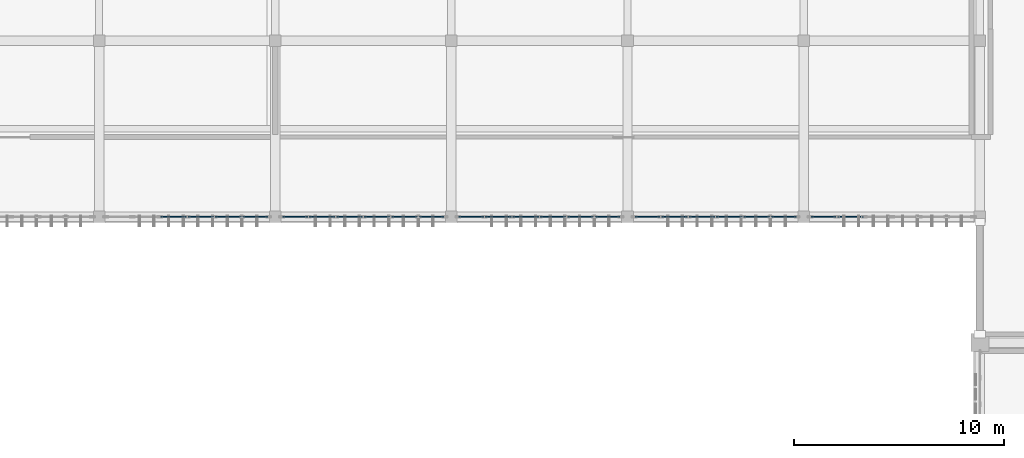
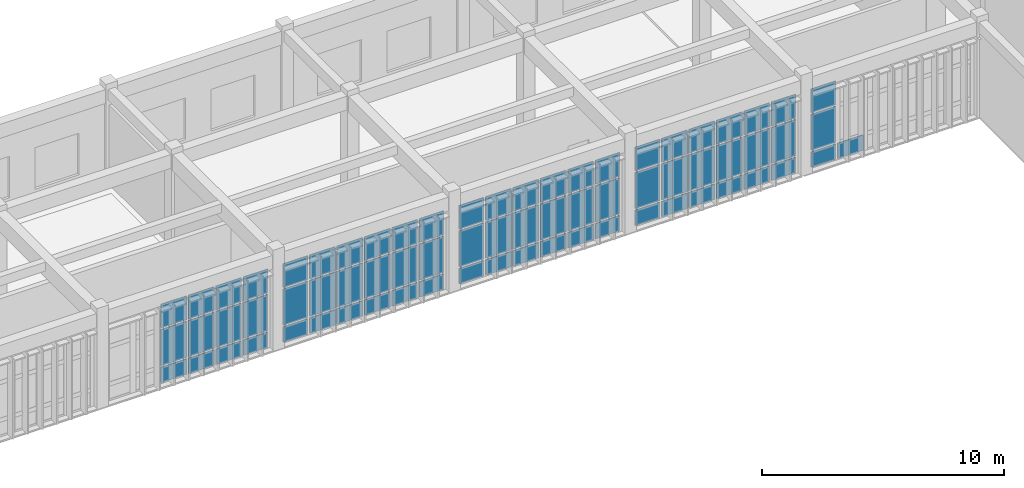
# One storey, part 75 of 106: 70 plates, 5 elements without a shape of their own.
"""IFC4 building model written with IfcOpenShell, lengths in metres."""

from ifc_helpers import new_model, si_unit, direction, frame, origin, origin_2d, place, context, subcontext, project, spatial, rectangle, extrude, material, layer, layer_set, type_object, element, aggregate, save


model = new_model("IFC4")

# Units and contexts
model_context = context("Model", 3, precision=1e-05, world=origin(), true_north=direction((0.0, 1.0)))
body_context = subcontext(model_context, "Body", "Model", "MODEL_VIEW")
ifc_project = project(units=[si_unit("LENGTHUNIT", "METRE"), si_unit("AREAUNIT", "SQUARE_METRE"), si_unit("VOLUMEUNIT", "CUBIC_METRE"), si_unit("PLANEANGLEUNIT", "RADIAN"), si_unit("MASSUNIT", "GRAM", prefix="KILO")], contexts=[model_context])

# Site, building, storey
site_placement = place(None, origin())
site = spatial("IfcSite", under=ifc_project, at=site_placement, CompositionType="ELEMENT")
building_placement = place(site_placement, origin())
building = spatial("IfcBuilding", under=site, at=building_placement, Name="Krzemoval Escarpment Law Courts", CompositionType="ELEMENT")
storey_placement = place(building_placement, frame((0.0, 0.0, 5.10009765625)))
storey = spatial("IfcBuildingStorey", under=building, at=storey_placement, Name="L01", CompositionType="ELEMENT", Elevation=5.10009765625)

# Curtain wall, plates
ifc_material_1 = material(Name="Aluminium 6063-T6", Category="aluminium")
ifc_layer_1 = layer(ifc_material_1, 0.280029296875)
ifc_layer_set_1 = layer_set([ifc_layer_1], Name="Aluminium 6063-T6")
curtain_wall_type = type_object("IfcCurtainWallType", Name="CW-HALL-5100", PredefinedType="USERDEFINED", material=ifc_layer_set_1)
curtain_wall_1_placement = place(storey_placement, origin())
curtain_wall_1 = element("IfcCurtainWall", 1, at=curtain_wall_1_placement, inside=storey, type_object=curtain_wall_type, Name="Unitised Curtain Wall FCW-L01-046", ObjectType="UNITISED_CURTAIN_WALL", PredefinedType="USERDEFINED")
ifc_material_2 = material(Name="Triple Glazing IGU", Category="glass")
ifc_layer_2 = layer(ifc_material_2, 0.053955078125)
ifc_layer_set_2 = layer_set([ifc_layer_2], Name="Triple Glazing IGU")
plate_type = type_object("IfcPlateType", Name="CWP-GLZ-54", PredefinedType="CURTAIN_PANEL", material=ifc_layer_set_2)
plate_1_placement = place(storey_placement, frame((119.83740234375, 99.60009765625, 0.0849609375), z_axis=(0.0, 0.0, 1.0), x_axis=(-1.0, 0.0, 0.0)))
plate_1 = element("IfcPlate", 2, at=plate_1_placement, type_object=plate_type, Name="FCW-L01-046 panel 5.1", PredefinedType="CURTAIN_PANEL", context=body_context, shape_type="SweptSolid", body=[
    extrude(rectangle(XDim=1.223388671875, YDim=0.053955078125, at=origin_2d()), origin(), (0.0, 0.0, 1.0), 0.7724609375),
])
plate_2_placement = place(storey_placement, frame((118.550537109375, 99.60009765625, 0.0849609375), z_axis=(0.0, 0.0, 1.0), x_axis=(-1.0, 0.0, 0.0)))
plate_2 = element("IfcPlate", 3, at=plate_2_placement, type_object=plate_type, Name="FCW-L01-046 panel 6.1", PredefinedType="CURTAIN_PANEL", context=body_context, shape_type="SweptSolid", body=[
    extrude(rectangle(XDim=1.180908203125, YDim=0.053955078125, at=origin_2d()), origin(), (0.0, 0.0, 1.0), 0.7724609375),
])
plate_3_placement = place(storey_placement, frame((118.550537109375, 99.60009765625, 0.9423828125), z_axis=(0.0, 0.0, 1.0), x_axis=(-1.0, 0.0, 0.0)))
plate_3 = element("IfcPlate", 4, at=plate_3_placement, type_object=plate_type, Name="FCW-L01-046 panel 6.2", PredefinedType="CURTAIN_PANEL", context=body_context, shape_type="SweptSolid", body=[
    extrude(rectangle(XDim=1.180908203125, YDim=0.053955078125, at=origin_2d()), origin(), (0.0, 0.0, 1.0), 1.81494140625),
])
plate_4_placement = place(storey_placement, frame((118.550537109375, 99.60009765625, 2.842529296875), z_axis=(0.0, 0.0, 1.0), x_axis=(-1.0, 0.0, 0.0)))
plate_4 = element("IfcPlate", 5, at=plate_4_placement, type_object=plate_type, Name="FCW-L01-046 panel 6.3", PredefinedType="CURTAIN_PANEL", context=body_context, shape_type="SweptSolid", body=[
    extrude(rectangle(XDim=1.180908203125, YDim=0.053955078125, at=origin_2d()), origin(), (0.0, 0.0, 1.0), 1.1923828125),
])
aggregate(curtain_wall_1, [plate_1, plate_2, plate_3, plate_4])

curtain_wall_2_placement = place(storey_placement, origin())
curtain_wall_2 = element("IfcCurtainWall", 6, at=curtain_wall_2_placement, inside=storey, type_object=curtain_wall_type, Name="Unitised Curtain Wall FCW-L01-047", ObjectType="UNITISED_CURTAIN_WALL", PredefinedType="USERDEFINED")
plate_5_placement = place(storey_placement, frame((116.649658203125, 99.60009765625, 0.0849609375), z_axis=(0.0, 0.0, 1.0), x_axis=(-1.0, 0.0, 0.0)))
plate_5 = element("IfcPlate", 7, at=plate_5_placement, type_object=plate_type, Name="FCW-L01-047 panel 1.1", PredefinedType="CURTAIN_PANEL", context=body_context, shape_type="SweptSolid", body=[
    extrude(rectangle(XDim=1.180908203125, YDim=0.053955078125, at=origin_2d()), origin(), (0.0, 0.0, 1.0), 0.7724609375),
])
plate_6_placement = place(storey_placement, frame((116.649658203125, 99.60009765625, 0.9423828125), z_axis=(0.0, 0.0, 1.0), x_axis=(-1.0, 0.0, 0.0)))
plate_6 = element("IfcPlate", 8, at=plate_6_placement, type_object=plate_type, Name="FCW-L01-047 panel 1.2", PredefinedType="CURTAIN_PANEL", context=body_context, shape_type="SweptSolid", body=[
    extrude(rectangle(XDim=1.180908203125, YDim=0.053955078125, at=origin_2d()), origin(), (0.0, 0.0, 1.0), 1.81494140625),
])
plate_7_placement = place(storey_placement, frame((116.649658203125, 99.60009765625, 2.842529296875), z_axis=(0.0, 0.0, 1.0), x_axis=(-1.0, 0.0, 0.0)))
plate_7 = element("IfcPlate", 9, at=plate_7_placement, type_object=plate_type, Name="FCW-L01-047 panel 1.3", PredefinedType="CURTAIN_PANEL", context=body_context, shape_type="SweptSolid", body=[
    extrude(rectangle(XDim=1.180908203125, YDim=0.053955078125, at=origin_2d()), origin(), (0.0, 0.0, 1.0), 1.1923828125),
])
plate_8_placement = place(storey_placement, frame((115.362548828125, 99.60009765625, 0.0849609375), z_axis=(0.0, 0.0, 1.0), x_axis=(-1.0, 0.0, 0.0)))
plate_8 = element("IfcPlate", 10, at=plate_8_placement, type_object=plate_type, Name="FCW-L01-047 panel 2.1", PredefinedType="CURTAIN_PANEL", context=body_context, shape_type="SweptSolid", body=[
    extrude(rectangle(XDim=1.223388671875, YDim=0.053955078125, at=origin_2d()), origin(), (0.0, 0.0, 1.0), 0.7724609375),
])
plate_9_placement = place(storey_placement, frame((115.362548828125, 99.60009765625, 0.9423828125), z_axis=(0.0, 0.0, 1.0), x_axis=(-1.0, 0.0, 0.0)))
plate_9 = element("IfcPlate", 11, at=plate_9_placement, type_object=plate_type, Name="FCW-L01-047 panel 2.2", PredefinedType="CURTAIN_PANEL", context=body_context, shape_type="SweptSolid", body=[
    extrude(rectangle(XDim=1.223388671875, YDim=0.053955078125, at=origin_2d()), origin(), (0.0, 0.0, 1.0), 1.81494140625),
])
plate_10_placement = place(storey_placement, frame((115.362548828125, 99.60009765625, 2.842529296875), z_axis=(0.0, 0.0, 1.0), x_axis=(-1.0, 0.0, 0.0)))
plate_10 = element("IfcPlate", 12, at=plate_10_placement, type_object=plate_type, Name="FCW-L01-047 panel 2.3", PredefinedType="CURTAIN_PANEL", context=body_context, shape_type="SweptSolid", body=[
    extrude(rectangle(XDim=1.223388671875, YDim=0.053955078125, at=origin_2d()), origin(), (0.0, 0.0, 1.0), 1.1923828125),
])
plate_11_placement = place(storey_placement, frame((114.05419921875, 99.60009765625, 0.0849609375), z_axis=(0.0, 0.0, 1.0), x_axis=(-1.0, 0.0, 0.0)))
plate_11 = element("IfcPlate", 13, at=plate_11_placement, type_object=plate_type, Name="FCW-L01-047 panel 3.1", PredefinedType="CURTAIN_PANEL", context=body_context, shape_type="SweptSolid", body=[
    extrude(rectangle(XDim=1.223388671875, YDim=0.053955078125, at=origin_2d()), origin(), (0.0, 0.0, 1.0), 0.7724609375),
])
plate_12_placement = place(storey_placement, frame((114.05419921875, 99.60009765625, 0.9423828125), z_axis=(0.0, 0.0, 1.0), x_axis=(-1.0, 0.0, 0.0)))
plate_12 = element("IfcPlate", 14, at=plate_12_placement, type_object=plate_type, Name="FCW-L01-047 panel 3.2", PredefinedType="CURTAIN_PANEL", context=body_context, shape_type="SweptSolid", body=[
    extrude(rectangle(XDim=1.223388671875, YDim=0.053955078125, at=origin_2d()), origin(), (0.0, 0.0, 1.0), 1.81494140625),
])
plate_13_placement = place(storey_placement, frame((114.05419921875, 99.60009765625, 2.842529296875), z_axis=(0.0, 0.0, 1.0), x_axis=(-1.0, 0.0, 0.0)))
plate_13 = element("IfcPlate", 15, at=plate_13_placement, type_object=plate_type, Name="FCW-L01-047 panel 3.3", PredefinedType="CURTAIN_PANEL", context=body_context, shape_type="SweptSolid", body=[
    extrude(rectangle(XDim=1.223388671875, YDim=0.053955078125, at=origin_2d()), origin(), (0.0, 0.0, 1.0), 1.1923828125),
])
plate_14_placement = place(storey_placement, frame((112.745849609375, 99.60009765625, 0.0849609375), z_axis=(0.0, 0.0, 1.0), x_axis=(-1.0, 0.0, 0.0)))
plate_14 = element("IfcPlate", 16, at=plate_14_placement, type_object=plate_type, Name="FCW-L01-047 panel 4.1", PredefinedType="CURTAIN_PANEL", context=body_context, shape_type="SweptSolid", body=[
    extrude(rectangle(XDim=1.223388671875, YDim=0.053955078125, at=origin_2d()), origin(), (0.0, 0.0, 1.0), 0.7724609375),
])
plate_15_placement = place(storey_placement, frame((112.745849609375, 99.60009765625, 0.9423828125), z_axis=(0.0, 0.0, 1.0), x_axis=(-1.0, 0.0, 0.0)))
plate_15 = element("IfcPlate", 17, at=plate_15_placement, type_object=plate_type, Name="FCW-L01-047 panel 4.2", PredefinedType="CURTAIN_PANEL", context=body_context, shape_type="SweptSolid", body=[
    extrude(rectangle(XDim=1.223388671875, YDim=0.053955078125, at=origin_2d()), origin(), (0.0, 0.0, 1.0), 1.81494140625),
])
plate_16_placement = place(storey_placement, frame((112.745849609375, 99.60009765625, 2.842529296875), z_axis=(0.0, 0.0, 1.0), x_axis=(-1.0, 0.0, 0.0)))
plate_16 = element("IfcPlate", 18, at=plate_16_placement, type_object=plate_type, Name="FCW-L01-047 panel 4.3", PredefinedType="CURTAIN_PANEL", context=body_context, shape_type="SweptSolid", body=[
    extrude(rectangle(XDim=1.223388671875, YDim=0.053955078125, at=origin_2d()), origin(), (0.0, 0.0, 1.0), 1.1923828125),
])
plate_17_placement = place(storey_placement, frame((111.4375, 99.60009765625, 0.0849609375), z_axis=(0.0, 0.0, 1.0), x_axis=(-1.0, 0.0, 0.0)))
plate_17 = element("IfcPlate", 19, at=plate_17_placement, type_object=plate_type, Name="FCW-L01-047 panel 5.1", PredefinedType="CURTAIN_PANEL", context=body_context, shape_type="SweptSolid", body=[
    extrude(rectangle(XDim=1.223388671875, YDim=0.053955078125, at=origin_2d()), origin(), (0.0, 0.0, 1.0), 0.7724609375),
])
plate_18_placement = place(storey_placement, frame((111.4375, 99.60009765625, 0.9423828125), z_axis=(0.0, 0.0, 1.0), x_axis=(-1.0, 0.0, 0.0)))
plate_18 = element("IfcPlate", 20, at=plate_18_placement, type_object=plate_type, Name="FCW-L01-047 panel 5.2", PredefinedType="CURTAIN_PANEL", context=body_context, shape_type="SweptSolid", body=[
    extrude(rectangle(XDim=1.223388671875, YDim=0.053955078125, at=origin_2d()), origin(), (0.0, 0.0, 1.0), 1.81494140625),
])
plate_19_placement = place(storey_placement, frame((111.4375, 99.60009765625, 2.842529296875), z_axis=(0.0, 0.0, 1.0), x_axis=(-1.0, 0.0, 0.0)))
plate_19 = element("IfcPlate", 21, at=plate_19_placement, type_object=plate_type, Name="FCW-L01-047 panel 5.3", PredefinedType="CURTAIN_PANEL", context=body_context, shape_type="SweptSolid", body=[
    extrude(rectangle(XDim=1.223388671875, YDim=0.053955078125, at=origin_2d()), origin(), (0.0, 0.0, 1.0), 1.1923828125),
])
plate_20_placement = place(storey_placement, frame((110.150390625, 99.60009765625, 0.0849609375), z_axis=(0.0, 0.0, 1.0), x_axis=(-1.0, 0.0, 0.0)))
plate_20 = element("IfcPlate", 22, at=plate_20_placement, type_object=plate_type, Name="FCW-L01-047 panel 6.1", PredefinedType="CURTAIN_PANEL", context=body_context, shape_type="SweptSolid", body=[
    extrude(rectangle(XDim=1.180908203125, YDim=0.053955078125, at=origin_2d()), origin(), (0.0, 0.0, 1.0), 0.7724609375),
])
plate_21_placement = place(storey_placement, frame((110.150390625, 99.60009765625, 0.9423828125), z_axis=(0.0, 0.0, 1.0), x_axis=(-1.0, 0.0, 0.0)))
plate_21 = element("IfcPlate", 23, at=plate_21_placement, type_object=plate_type, Name="FCW-L01-047 panel 6.2", PredefinedType="CURTAIN_PANEL", context=body_context, shape_type="SweptSolid", body=[
    extrude(rectangle(XDim=1.180908203125, YDim=0.053955078125, at=origin_2d()), origin(), (0.0, 0.0, 1.0), 1.81494140625),
])
plate_22_placement = place(storey_placement, frame((110.150390625, 99.60009765625, 2.842529296875), z_axis=(0.0, 0.0, 1.0), x_axis=(-1.0, 0.0, 0.0)))
plate_22 = element("IfcPlate", 24, at=plate_22_placement, type_object=plate_type, Name="FCW-L01-047 panel 6.3", PredefinedType="CURTAIN_PANEL", context=body_context, shape_type="SweptSolid", body=[
    extrude(rectangle(XDim=1.180908203125, YDim=0.053955078125, at=origin_2d()), origin(), (0.0, 0.0, 1.0), 1.1923828125),
])
aggregate(curtain_wall_2, [plate_5, plate_6, plate_7, plate_8, plate_9, plate_10, plate_11, plate_12, plate_13, plate_14, plate_15, plate_16, plate_17, plate_18, plate_19, plate_20, plate_21, plate_22])

curtain_wall_3_placement = place(storey_placement, origin())
curtain_wall_3 = element("IfcCurtainWall", 25, at=curtain_wall_3_placement, inside=storey, type_object=curtain_wall_type, Name="Unitised Curtain Wall FCW-L01-048", ObjectType="UNITISED_CURTAIN_WALL", PredefinedType="USERDEFINED")
plate_23_placement = place(storey_placement, frame((108.24951171875, 99.60009765625, 0.0849609375), z_axis=(0.0, 0.0, 1.0), x_axis=(-1.0, 0.0, 0.0)))
plate_23 = element("IfcPlate", 26, at=plate_23_placement, type_object=plate_type, Name="FCW-L01-048 panel 1.1", PredefinedType="CURTAIN_PANEL", context=body_context, shape_type="SweptSolid", body=[
    extrude(rectangle(XDim=1.180908203125, YDim=0.053955078125, at=origin_2d()), origin(), (0.0, 0.0, 1.0), 0.7724609375),
])
plate_24_placement = place(storey_placement, frame((108.24951171875, 99.60009765625, 0.9423828125), z_axis=(0.0, 0.0, 1.0), x_axis=(-1.0, 0.0, 0.0)))
plate_24 = element("IfcPlate", 27, at=plate_24_placement, type_object=plate_type, Name="FCW-L01-048 panel 1.2", PredefinedType="CURTAIN_PANEL", context=body_context, shape_type="SweptSolid", body=[
    extrude(rectangle(XDim=1.180908203125, YDim=0.053955078125, at=origin_2d()), origin(), (0.0, 0.0, 1.0), 1.81494140625),
])
plate_25_placement = place(storey_placement, frame((108.24951171875, 99.60009765625, 2.842529296875), z_axis=(0.0, 0.0, 1.0), x_axis=(-1.0, 0.0, 0.0)))
plate_25 = element("IfcPlate", 28, at=plate_25_placement, type_object=plate_type, Name="FCW-L01-048 panel 1.3", PredefinedType="CURTAIN_PANEL", context=body_context, shape_type="SweptSolid", body=[
    extrude(rectangle(XDim=1.180908203125, YDim=0.053955078125, at=origin_2d()), origin(), (0.0, 0.0, 1.0), 1.1923828125),
])
plate_26_placement = place(storey_placement, frame((106.96240234375, 99.60009765625, 0.0849609375), z_axis=(0.0, 0.0, 1.0), x_axis=(-1.0, 0.0, 0.0)))
plate_26 = element("IfcPlate", 29, at=plate_26_placement, type_object=plate_type, Name="FCW-L01-048 panel 2.1", PredefinedType="CURTAIN_PANEL", context=body_context, shape_type="SweptSolid", body=[
    extrude(rectangle(XDim=1.223388671875, YDim=0.053955078125, at=origin_2d()), origin(), (0.0, 0.0, 1.0), 0.7724609375),
])
plate_27_placement = place(storey_placement, frame((106.96240234375, 99.60009765625, 0.9423828125), z_axis=(0.0, 0.0, 1.0), x_axis=(-1.0, 0.0, 0.0)))
plate_27 = element("IfcPlate", 30, at=plate_27_placement, type_object=plate_type, Name="FCW-L01-048 panel 2.2", PredefinedType="CURTAIN_PANEL", context=body_context, shape_type="SweptSolid", body=[
    extrude(rectangle(XDim=1.223388671875, YDim=0.053955078125, at=origin_2d()), origin(), (0.0, 0.0, 1.0), 1.81494140625),
])
plate_28_placement = place(storey_placement, frame((106.96240234375, 99.60009765625, 2.842529296875), z_axis=(0.0, 0.0, 1.0), x_axis=(-1.0, 0.0, 0.0)))
plate_28 = element("IfcPlate", 31, at=plate_28_placement, type_object=plate_type, Name="FCW-L01-048 panel 2.3", PredefinedType="CURTAIN_PANEL", context=body_context, shape_type="SweptSolid", body=[
    extrude(rectangle(XDim=1.223388671875, YDim=0.053955078125, at=origin_2d()), origin(), (0.0, 0.0, 1.0), 1.1923828125),
])
plate_29_placement = place(storey_placement, frame((105.654052734375, 99.60009765625, 0.0849609375), z_axis=(0.0, 0.0, 1.0), x_axis=(-1.0, 0.0, 0.0)))
plate_29 = element("IfcPlate", 32, at=plate_29_placement, type_object=plate_type, Name="FCW-L01-048 panel 3.1", PredefinedType="CURTAIN_PANEL", context=body_context, shape_type="SweptSolid", body=[
    extrude(rectangle(XDim=1.223388671875, YDim=0.053955078125, at=origin_2d()), origin(), (0.0, 0.0, 1.0), 0.7724609375),
])
plate_30_placement = place(storey_placement, frame((105.654052734375, 99.60009765625, 0.9423828125), z_axis=(0.0, 0.0, 1.0), x_axis=(-1.0, 0.0, 0.0)))
plate_30 = element("IfcPlate", 33, at=plate_30_placement, type_object=plate_type, Name="FCW-L01-048 panel 3.2", PredefinedType="CURTAIN_PANEL", context=body_context, shape_type="SweptSolid", body=[
    extrude(rectangle(XDim=1.223388671875, YDim=0.053955078125, at=origin_2d()), origin(), (0.0, 0.0, 1.0), 1.81494140625),
])
plate_31_placement = place(storey_placement, frame((105.654052734375, 99.60009765625, 2.842529296875), z_axis=(0.0, 0.0, 1.0), x_axis=(-1.0, 0.0, 0.0)))
plate_31 = element("IfcPlate", 34, at=plate_31_placement, type_object=plate_type, Name="FCW-L01-048 panel 3.3", PredefinedType="CURTAIN_PANEL", context=body_context, shape_type="SweptSolid", body=[
    extrude(rectangle(XDim=1.223388671875, YDim=0.053955078125, at=origin_2d()), origin(), (0.0, 0.0, 1.0), 1.1923828125),
])
plate_32_placement = place(storey_placement, frame((104.345947265625, 99.60009765625, 0.0849609375), z_axis=(0.0, 0.0, 1.0), x_axis=(-1.0, 0.0, 0.0)))
plate_32 = element("IfcPlate", 35, at=plate_32_placement, type_object=plate_type, Name="FCW-L01-048 panel 4.1", PredefinedType="CURTAIN_PANEL", context=body_context, shape_type="SweptSolid", body=[
    extrude(rectangle(XDim=1.223388671875, YDim=0.053955078125, at=origin_2d()), origin(), (0.0, 0.0, 1.0), 0.7724609375),
])
plate_33_placement = place(storey_placement, frame((104.345947265625, 99.60009765625, 0.9423828125), z_axis=(0.0, 0.0, 1.0), x_axis=(-1.0, 0.0, 0.0)))
plate_33 = element("IfcPlate", 36, at=plate_33_placement, type_object=plate_type, Name="FCW-L01-048 panel 4.2", PredefinedType="CURTAIN_PANEL", context=body_context, shape_type="SweptSolid", body=[
    extrude(rectangle(XDim=1.223388671875, YDim=0.053955078125, at=origin_2d()), origin(), (0.0, 0.0, 1.0), 1.81494140625),
])
plate_34_placement = place(storey_placement, frame((104.345947265625, 99.60009765625, 2.842529296875), z_axis=(0.0, 0.0, 1.0), x_axis=(-1.0, 0.0, 0.0)))
plate_34 = element("IfcPlate", 37, at=plate_34_placement, type_object=plate_type, Name="FCW-L01-048 panel 4.3", PredefinedType="CURTAIN_PANEL", context=body_context, shape_type="SweptSolid", body=[
    extrude(rectangle(XDim=1.223388671875, YDim=0.053955078125, at=origin_2d()), origin(), (0.0, 0.0, 1.0), 1.1923828125),
])
plate_35_placement = place(storey_placement, frame((103.03759765625, 99.60009765625, 0.0849609375), z_axis=(0.0, 0.0, 1.0), x_axis=(-1.0, 0.0, 0.0)))
plate_35 = element("IfcPlate", 38, at=plate_35_placement, type_object=plate_type, Name="FCW-L01-048 panel 5.1", PredefinedType="CURTAIN_PANEL", context=body_context, shape_type="SweptSolid", body=[
    extrude(rectangle(XDim=1.223388671875, YDim=0.053955078125, at=origin_2d()), origin(), (0.0, 0.0, 1.0), 0.7724609375),
])
plate_36_placement = place(storey_placement, frame((103.03759765625, 99.60009765625, 0.9423828125), z_axis=(0.0, 0.0, 1.0), x_axis=(-1.0, 0.0, 0.0)))
plate_36 = element("IfcPlate", 39, at=plate_36_placement, type_object=plate_type, Name="FCW-L01-048 panel 5.2", PredefinedType="CURTAIN_PANEL", context=body_context, shape_type="SweptSolid", body=[
    extrude(rectangle(XDim=1.223388671875, YDim=0.053955078125, at=origin_2d()), origin(), (0.0, 0.0, 1.0), 1.81494140625),
])
plate_37_placement = place(storey_placement, frame((103.03759765625, 99.60009765625, 2.842529296875), z_axis=(0.0, 0.0, 1.0), x_axis=(-1.0, 0.0, 0.0)))
plate_37 = element("IfcPlate", 40, at=plate_37_placement, type_object=plate_type, Name="FCW-L01-048 panel 5.3", PredefinedType="CURTAIN_PANEL", context=body_context, shape_type="SweptSolid", body=[
    extrude(rectangle(XDim=1.223388671875, YDim=0.053955078125, at=origin_2d()), origin(), (0.0, 0.0, 1.0), 1.1923828125),
])
plate_38_placement = place(storey_placement, frame((101.75048828125, 99.60009765625, 0.0849609375), z_axis=(0.0, 0.0, 1.0), x_axis=(-1.0, 0.0, 0.0)))
plate_38 = element("IfcPlate", 41, at=plate_38_placement, type_object=plate_type, Name="FCW-L01-048 panel 6.1", PredefinedType="CURTAIN_PANEL", context=body_context, shape_type="SweptSolid", body=[
    extrude(rectangle(XDim=1.180908203125, YDim=0.053955078125, at=origin_2d()), origin(), (0.0, 0.0, 1.0), 0.7724609375),
])
plate_39_placement = place(storey_placement, frame((101.75048828125, 99.60009765625, 0.9423828125), z_axis=(0.0, 0.0, 1.0), x_axis=(-1.0, 0.0, 0.0)))
plate_39 = element("IfcPlate", 42, at=plate_39_placement, type_object=plate_type, Name="FCW-L01-048 panel 6.2", PredefinedType="CURTAIN_PANEL", context=body_context, shape_type="SweptSolid", body=[
    extrude(rectangle(XDim=1.180908203125, YDim=0.053955078125, at=origin_2d()), origin(), (0.0, 0.0, 1.0), 1.81494140625),
])
plate_40_placement = place(storey_placement, frame((101.75048828125, 99.60009765625, 2.842529296875), z_axis=(0.0, 0.0, 1.0), x_axis=(-1.0, 0.0, 0.0)))
plate_40 = element("IfcPlate", 43, at=plate_40_placement, type_object=plate_type, Name="FCW-L01-048 panel 6.3", PredefinedType="CURTAIN_PANEL", context=body_context, shape_type="SweptSolid", body=[
    extrude(rectangle(XDim=1.180908203125, YDim=0.053955078125, at=origin_2d()), origin(), (0.0, 0.0, 1.0), 1.1923828125),
])
aggregate(curtain_wall_3, [plate_23, plate_24, plate_25, plate_26, plate_27, plate_28, plate_29, plate_30, plate_31, plate_32, plate_33, plate_34, plate_35, plate_36, plate_37, plate_38, plate_39, plate_40])

curtain_wall_4_placement = place(storey_placement, origin())
curtain_wall_4 = element("IfcCurtainWall", 44, at=curtain_wall_4_placement, inside=storey, type_object=curtain_wall_type, Name="Unitised Curtain Wall FCW-L01-049", ObjectType="UNITISED_CURTAIN_WALL", PredefinedType="USERDEFINED")
plate_41_placement = place(storey_placement, frame((99.849609375, 99.60009765625, 0.0849609375), z_axis=(0.0, 0.0, 1.0), x_axis=(-1.0, 0.0, 0.0)))
plate_41 = element("IfcPlate", 45, at=plate_41_placement, type_object=plate_type, Name="FCW-L01-049 panel 1.1", PredefinedType="CURTAIN_PANEL", context=body_context, shape_type="SweptSolid", body=[
    extrude(rectangle(XDim=1.180908203125, YDim=0.053955078125, at=origin_2d()), origin(), (0.0, 0.0, 1.0), 0.7724609375),
])
plate_42_placement = place(storey_placement, frame((99.849609375, 99.60009765625, 0.9423828125), z_axis=(0.0, 0.0, 1.0), x_axis=(-1.0, 0.0, 0.0)))
plate_42 = element("IfcPlate", 46, at=plate_42_placement, type_object=plate_type, Name="FCW-L01-049 panel 1.2", PredefinedType="CURTAIN_PANEL", context=body_context, shape_type="SweptSolid", body=[
    extrude(rectangle(XDim=1.180908203125, YDim=0.053955078125, at=origin_2d()), origin(), (0.0, 0.0, 1.0), 1.81494140625),
])
plate_43_placement = place(storey_placement, frame((99.849609375, 99.60009765625, 2.842529296875), z_axis=(0.0, 0.0, 1.0), x_axis=(-1.0, 0.0, 0.0)))
plate_43 = element("IfcPlate", 47, at=plate_43_placement, type_object=plate_type, Name="FCW-L01-049 panel 1.3", PredefinedType="CURTAIN_PANEL", context=body_context, shape_type="SweptSolid", body=[
    extrude(rectangle(XDim=1.180908203125, YDim=0.053955078125, at=origin_2d()), origin(), (0.0, 0.0, 1.0), 1.1923828125),
])
plate_44_placement = place(storey_placement, frame((98.5625, 99.60009765625, 0.0849609375), z_axis=(0.0, 0.0, 1.0), x_axis=(-1.0, 0.0, 0.0)))
plate_44 = element("IfcPlate", 48, at=plate_44_placement, type_object=plate_type, Name="FCW-L01-049 panel 2.1", PredefinedType="CURTAIN_PANEL", context=body_context, shape_type="SweptSolid", body=[
    extrude(rectangle(XDim=1.223388671875, YDim=0.053955078125, at=origin_2d()), origin(), (0.0, 0.0, 1.0), 0.7724609375),
])
plate_45_placement = place(storey_placement, frame((98.5625, 99.60009765625, 0.9423828125), z_axis=(0.0, 0.0, 1.0), x_axis=(-1.0, 0.0, 0.0)))
plate_45 = element("IfcPlate", 49, at=plate_45_placement, type_object=plate_type, Name="FCW-L01-049 panel 2.2", PredefinedType="CURTAIN_PANEL", context=body_context, shape_type="SweptSolid", body=[
    extrude(rectangle(XDim=1.223388671875, YDim=0.053955078125, at=origin_2d()), origin(), (0.0, 0.0, 1.0), 1.81494140625),
])
plate_46_placement = place(storey_placement, frame((98.5625, 99.60009765625, 2.842529296875), z_axis=(0.0, 0.0, 1.0), x_axis=(-1.0, 0.0, 0.0)))
plate_46 = element("IfcPlate", 50, at=plate_46_placement, type_object=plate_type, Name="FCW-L01-049 panel 2.3", PredefinedType="CURTAIN_PANEL", context=body_context, shape_type="SweptSolid", body=[
    extrude(rectangle(XDim=1.223388671875, YDim=0.053955078125, at=origin_2d()), origin(), (0.0, 0.0, 1.0), 1.1923828125),
])
plate_47_placement = place(storey_placement, frame((97.254150390625, 99.60009765625, 0.0849609375), z_axis=(0.0, 0.0, 1.0), x_axis=(-1.0, 0.0, 0.0)))
plate_47 = element("IfcPlate", 51, at=plate_47_placement, type_object=plate_type, Name="FCW-L01-049 panel 3.1", PredefinedType="CURTAIN_PANEL", context=body_context, shape_type="SweptSolid", body=[
    extrude(rectangle(XDim=1.223388671875, YDim=0.053955078125, at=origin_2d()), origin(), (0.0, 0.0, 1.0), 0.7724609375),
])
plate_48_placement = place(storey_placement, frame((97.254150390625, 99.60009765625, 0.9423828125), z_axis=(0.0, 0.0, 1.0), x_axis=(-1.0, 0.0, 0.0)))
plate_48 = element("IfcPlate", 52, at=plate_48_placement, type_object=plate_type, Name="FCW-L01-049 panel 3.2", PredefinedType="CURTAIN_PANEL", context=body_context, shape_type="SweptSolid", body=[
    extrude(rectangle(XDim=1.223388671875, YDim=0.053955078125, at=origin_2d()), origin(), (0.0, 0.0, 1.0), 1.81494140625),
])
plate_49_placement = place(storey_placement, frame((97.254150390625, 99.60009765625, 2.842529296875), z_axis=(0.0, 0.0, 1.0), x_axis=(-1.0, 0.0, 0.0)))
plate_49 = element("IfcPlate", 53, at=plate_49_placement, type_object=plate_type, Name="FCW-L01-049 panel 3.3", PredefinedType="CURTAIN_PANEL", context=body_context, shape_type="SweptSolid", body=[
    extrude(rectangle(XDim=1.223388671875, YDim=0.053955078125, at=origin_2d()), origin(), (0.0, 0.0, 1.0), 1.1923828125),
])
plate_50_placement = place(storey_placement, frame((95.94580078125, 99.60009765625, 0.0849609375), z_axis=(0.0, 0.0, 1.0), x_axis=(-1.0, 0.0, 0.0)))
plate_50 = element("IfcPlate", 54, at=plate_50_placement, type_object=plate_type, Name="FCW-L01-049 panel 4.1", PredefinedType="CURTAIN_PANEL", context=body_context, shape_type="SweptSolid", body=[
    extrude(rectangle(XDim=1.223388671875, YDim=0.053955078125, at=origin_2d()), origin(), (0.0, 0.0, 1.0), 0.7724609375),
])
plate_51_placement = place(storey_placement, frame((95.94580078125, 99.60009765625, 0.9423828125), z_axis=(0.0, 0.0, 1.0), x_axis=(-1.0, 0.0, 0.0)))
plate_51 = element("IfcPlate", 55, at=plate_51_placement, type_object=plate_type, Name="FCW-L01-049 panel 4.2", PredefinedType="CURTAIN_PANEL", context=body_context, shape_type="SweptSolid", body=[
    extrude(rectangle(XDim=1.223388671875, YDim=0.053955078125, at=origin_2d()), origin(), (0.0, 0.0, 1.0), 1.81494140625),
])
plate_52_placement = place(storey_placement, frame((95.94580078125, 99.60009765625, 2.842529296875), z_axis=(0.0, 0.0, 1.0), x_axis=(-1.0, 0.0, 0.0)))
plate_52 = element("IfcPlate", 56, at=plate_52_placement, type_object=plate_type, Name="FCW-L01-049 panel 4.3", PredefinedType="CURTAIN_PANEL", context=body_context, shape_type="SweptSolid", body=[
    extrude(rectangle(XDim=1.223388671875, YDim=0.053955078125, at=origin_2d()), origin(), (0.0, 0.0, 1.0), 1.1923828125),
])
plate_53_placement = place(storey_placement, frame((94.637451171875, 99.60009765625, 0.0849609375), z_axis=(0.0, 0.0, 1.0), x_axis=(-1.0, 0.0, 0.0)))
plate_53 = element("IfcPlate", 57, at=plate_53_placement, type_object=plate_type, Name="FCW-L01-049 panel 5.1", PredefinedType="CURTAIN_PANEL", context=body_context, shape_type="SweptSolid", body=[
    extrude(rectangle(XDim=1.223388671875, YDim=0.053955078125, at=origin_2d()), origin(), (0.0, 0.0, 1.0), 0.7724609375),
])
plate_54_placement = place(storey_placement, frame((94.637451171875, 99.60009765625, 0.9423828125), z_axis=(0.0, 0.0, 1.0), x_axis=(-1.0, 0.0, 0.0)))
plate_54 = element("IfcPlate", 58, at=plate_54_placement, type_object=plate_type, Name="FCW-L01-049 panel 5.2", PredefinedType="CURTAIN_PANEL", context=body_context, shape_type="SweptSolid", body=[
    extrude(rectangle(XDim=1.223388671875, YDim=0.053955078125, at=origin_2d()), origin(), (0.0, 0.0, 1.0), 1.81494140625),
])
plate_55_placement = place(storey_placement, frame((94.637451171875, 99.60009765625, 2.842529296875), z_axis=(0.0, 0.0, 1.0), x_axis=(-1.0, 0.0, 0.0)))
plate_55 = element("IfcPlate", 59, at=plate_55_placement, type_object=plate_type, Name="FCW-L01-049 panel 5.3", PredefinedType="CURTAIN_PANEL", context=body_context, shape_type="SweptSolid", body=[
    extrude(rectangle(XDim=1.223388671875, YDim=0.053955078125, at=origin_2d()), origin(), (0.0, 0.0, 1.0), 1.1923828125),
])
plate_56_placement = place(storey_placement, frame((93.350341796875, 99.60009765625, 0.0849609375), z_axis=(0.0, 0.0, 1.0), x_axis=(-1.0, 0.0, 0.0)))
plate_56 = element("IfcPlate", 60, at=plate_56_placement, type_object=plate_type, Name="FCW-L01-049 panel 6.1", PredefinedType="CURTAIN_PANEL", context=body_context, shape_type="SweptSolid", body=[
    extrude(rectangle(XDim=1.180908203125, YDim=0.053955078125, at=origin_2d()), origin(), (0.0, 0.0, 1.0), 0.7724609375),
])
plate_57_placement = place(storey_placement, frame((93.350341796875, 99.60009765625, 0.9423828125), z_axis=(0.0, 0.0, 1.0), x_axis=(-1.0, 0.0, 0.0)))
plate_57 = element("IfcPlate", 61, at=plate_57_placement, type_object=plate_type, Name="FCW-L01-049 panel 6.2", PredefinedType="CURTAIN_PANEL", context=body_context, shape_type="SweptSolid", body=[
    extrude(rectangle(XDim=1.180908203125, YDim=0.053955078125, at=origin_2d()), origin(), (0.0, 0.0, 1.0), 1.81494140625),
])
plate_58_placement = place(storey_placement, frame((93.350341796875, 99.60009765625, 2.842529296875), z_axis=(0.0, 0.0, 1.0), x_axis=(-1.0, 0.0, 0.0)))
plate_58 = element("IfcPlate", 62, at=plate_58_placement, type_object=plate_type, Name="FCW-L01-049 panel 6.3", PredefinedType="CURTAIN_PANEL", context=body_context, shape_type="SweptSolid", body=[
    extrude(rectangle(XDim=1.180908203125, YDim=0.053955078125, at=origin_2d()), origin(), (0.0, 0.0, 1.0), 1.1923828125),
])
aggregate(curtain_wall_4, [plate_41, plate_42, plate_43, plate_44, plate_45, plate_46, plate_47, plate_48, plate_49, plate_50, plate_51, plate_52, plate_53, plate_54, plate_55, plate_56, plate_57, plate_58])

curtain_wall_5_placement = place(storey_placement, origin())
curtain_wall_5 = element("IfcCurtainWall", 63, at=curtain_wall_5_placement, inside=storey, type_object=curtain_wall_type, Name="Unitised Curtain Wall FCW-L01-050", ObjectType="UNITISED_CURTAIN_WALL", PredefinedType="USERDEFINED")
plate_59_placement = place(storey_placement, frame((91.449462890625, 99.60009765625, 0.0849609375), z_axis=(0.0, 0.0, 1.0), x_axis=(-1.0, 0.0, 0.0)))
plate_59 = element("IfcPlate", 64, at=plate_59_placement, type_object=plate_type, Name="FCW-L01-050 panel 1.1", PredefinedType="CURTAIN_PANEL", context=body_context, shape_type="SweptSolid", body=[
    extrude(rectangle(XDim=1.180908203125, YDim=0.053955078125, at=origin_2d()), origin(), (0.0, 0.0, 1.0), 0.7724609375),
])
plate_60_placement = place(storey_placement, frame((91.449462890625, 99.60009765625, 0.9423828125), z_axis=(0.0, 0.0, 1.0), x_axis=(-1.0, 0.0, 0.0)))
plate_60 = element("IfcPlate", 65, at=plate_60_placement, type_object=plate_type, Name="FCW-L01-050 panel 1.2", PredefinedType="CURTAIN_PANEL", context=body_context, shape_type="SweptSolid", body=[
    extrude(rectangle(XDim=1.180908203125, YDim=0.053955078125, at=origin_2d()), origin(), (0.0, 0.0, 1.0), 1.81494140625),
])
plate_61_placement = place(storey_placement, frame((91.449462890625, 99.60009765625, 2.842529296875), z_axis=(0.0, 0.0, 1.0), x_axis=(-1.0, 0.0, 0.0)))
plate_61 = element("IfcPlate", 66, at=plate_61_placement, type_object=plate_type, Name="FCW-L01-050 panel 1.3", PredefinedType="CURTAIN_PANEL", context=body_context, shape_type="SweptSolid", body=[
    extrude(rectangle(XDim=1.180908203125, YDim=0.053955078125, at=origin_2d()), origin(), (0.0, 0.0, 1.0), 1.1923828125),
])
plate_62_placement = place(storey_placement, frame((90.16259765625, 99.60009765625, 0.0849609375), z_axis=(0.0, 0.0, 1.0), x_axis=(-1.0, 0.0, 0.0)))
plate_62 = element("IfcPlate", 67, at=plate_62_placement, type_object=plate_type, Name="FCW-L01-050 panel 2.1", PredefinedType="CURTAIN_PANEL", context=body_context, shape_type="SweptSolid", body=[
    extrude(rectangle(XDim=1.223388671875, YDim=0.053955078125, at=origin_2d()), origin(), (0.0, 0.0, 1.0), 0.7724609375),
])
plate_63_placement = place(storey_placement, frame((90.16259765625, 99.60009765625, 0.9423828125), z_axis=(0.0, 0.0, 1.0), x_axis=(-1.0, 0.0, 0.0)))
plate_63 = element("IfcPlate", 68, at=plate_63_placement, type_object=plate_type, Name="FCW-L01-050 panel 2.2", PredefinedType="CURTAIN_PANEL", context=body_context, shape_type="SweptSolid", body=[
    extrude(rectangle(XDim=1.223388671875, YDim=0.053955078125, at=origin_2d()), origin(), (0.0, 0.0, 1.0), 1.81494140625),
])
plate_64_placement = place(storey_placement, frame((90.16259765625, 99.60009765625, 2.842529296875), z_axis=(0.0, 0.0, 1.0), x_axis=(-1.0, 0.0, 0.0)))
plate_64 = element("IfcPlate", 69, at=plate_64_placement, type_object=plate_type, Name="FCW-L01-050 panel 2.3", PredefinedType="CURTAIN_PANEL", context=body_context, shape_type="SweptSolid", body=[
    extrude(rectangle(XDim=1.223388671875, YDim=0.053955078125, at=origin_2d()), origin(), (0.0, 0.0, 1.0), 1.1923828125),
])
plate_65_placement = place(storey_placement, frame((88.854248046875, 99.60009765625, 0.0849609375), z_axis=(0.0, 0.0, 1.0), x_axis=(-1.0, 0.0, 0.0)))
plate_65 = element("IfcPlate", 70, at=plate_65_placement, type_object=plate_type, Name="FCW-L01-050 panel 3.1", PredefinedType="CURTAIN_PANEL", context=body_context, shape_type="SweptSolid", body=[
    extrude(rectangle(XDim=1.223388671875, YDim=0.053955078125, at=origin_2d()), origin(), (0.0, 0.0, 1.0), 0.7724609375),
])
plate_66_placement = place(storey_placement, frame((88.854248046875, 99.60009765625, 0.9423828125), z_axis=(0.0, 0.0, 1.0), x_axis=(-1.0, 0.0, 0.0)))
plate_66 = element("IfcPlate", 71, at=plate_66_placement, type_object=plate_type, Name="FCW-L01-050 panel 3.2", PredefinedType="CURTAIN_PANEL", context=body_context, shape_type="SweptSolid", body=[
    extrude(rectangle(XDim=1.223388671875, YDim=0.053955078125, at=origin_2d()), origin(), (0.0, 0.0, 1.0), 1.81494140625),
])
plate_67_placement = place(storey_placement, frame((88.854248046875, 99.60009765625, 2.842529296875), z_axis=(0.0, 0.0, 1.0), x_axis=(-1.0, 0.0, 0.0)))
plate_67 = element("IfcPlate", 72, at=plate_67_placement, type_object=plate_type, Name="FCW-L01-050 panel 3.3", PredefinedType="CURTAIN_PANEL", context=body_context, shape_type="SweptSolid", body=[
    extrude(rectangle(XDim=1.223388671875, YDim=0.053955078125, at=origin_2d()), origin(), (0.0, 0.0, 1.0), 1.1923828125),
])
plate_68_placement = place(storey_placement, frame((87.5458984375, 99.60009765625, 0.0849609375), z_axis=(0.0, 0.0, 1.0), x_axis=(-1.0, 0.0, 0.0)))
plate_68 = element("IfcPlate", 73, at=plate_68_placement, type_object=plate_type, Name="FCW-L01-050 panel 4.1", PredefinedType="CURTAIN_PANEL", context=body_context, shape_type="SweptSolid", body=[
    extrude(rectangle(XDim=1.223388671875, YDim=0.053955078125, at=origin_2d()), origin(), (0.0, 0.0, 1.0), 0.7724609375),
])
plate_69_placement = place(storey_placement, frame((87.5458984375, 99.60009765625, 0.9423828125), z_axis=(0.0, 0.0, 1.0), x_axis=(-1.0, 0.0, 0.0)))
plate_69 = element("IfcPlate", 74, at=plate_69_placement, type_object=plate_type, Name="FCW-L01-050 panel 4.2", PredefinedType="CURTAIN_PANEL", context=body_context, shape_type="SweptSolid", body=[
    extrude(rectangle(XDim=1.223388671875, YDim=0.053955078125, at=origin_2d()), origin(), (0.0, 0.0, 1.0), 1.81494140625),
])
plate_70_placement = place(storey_placement, frame((87.5458984375, 99.60009765625, 2.842529296875), z_axis=(0.0, 0.0, 1.0), x_axis=(-1.0, 0.0, 0.0)))
plate_70 = element("IfcPlate", 75, at=plate_70_placement, type_object=plate_type, Name="FCW-L01-050 panel 4.3", PredefinedType="CURTAIN_PANEL", context=body_context, shape_type="SweptSolid", body=[
    extrude(rectangle(XDim=1.223388671875, YDim=0.053955078125, at=origin_2d()), origin(), (0.0, 0.0, 1.0), 1.1923828125),
])
aggregate(curtain_wall_5, [plate_59, plate_60, plate_61, plate_62, plate_63, plate_64, plate_65, plate_66, plate_67, plate_68, plate_69, plate_70])

save(model, "model.ifc")
